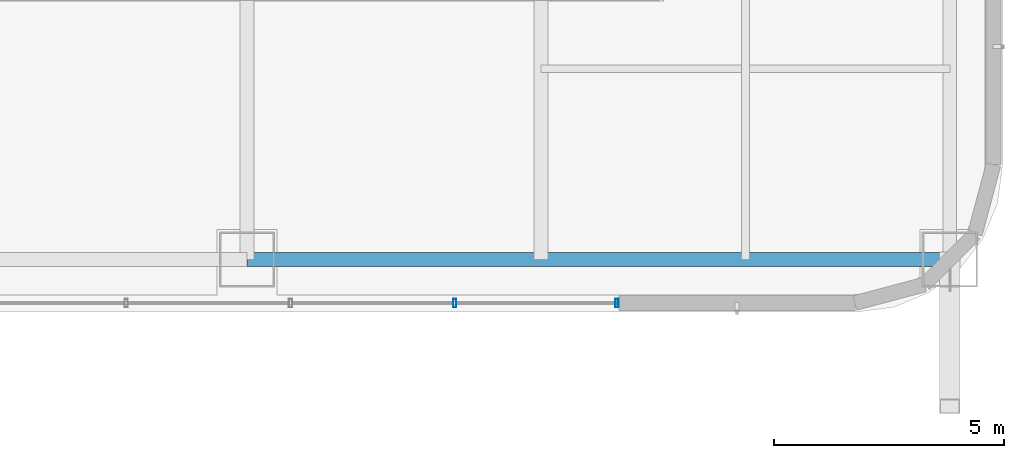
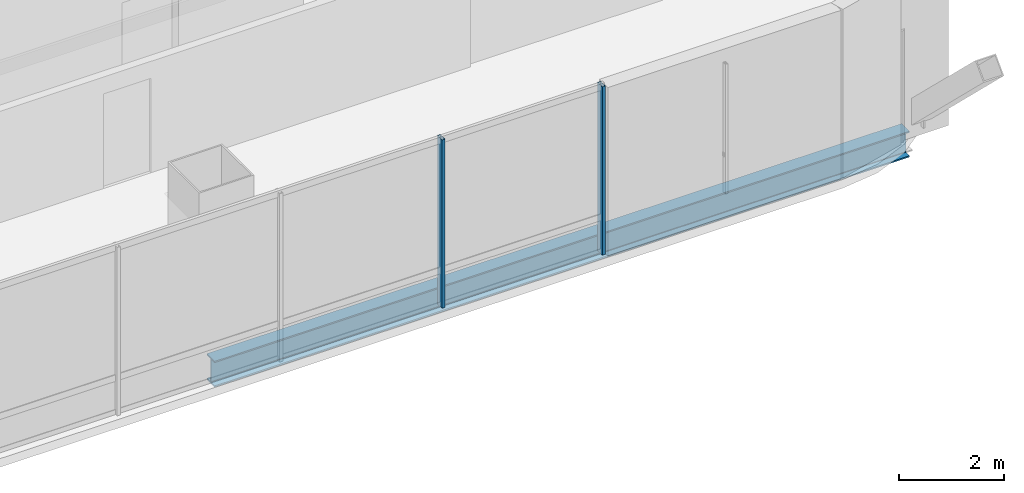
# One storey, part 14 of 51: 2 members, 1 beam, 1 element without a shape of its own.
"""IFC4 building model written with IfcOpenShell, lengths in metres."""

from ifc_helpers import new_model, si_unit, direction, frame, origin, origin_2d, place, context, subcontext, project, spatial, hollow_rectangle, i_section, extrude, material, material_profile, profile_set, type_object, element, aggregate, save


model = new_model("IFC4")

# Units and contexts
model_context = context("Model", 3, precision=1e-05, world=origin(), true_north=direction((0.0, 1.0)))
body_context = subcontext(model_context, "Body", "Model", "MODEL_VIEW")
ifc_project = project(units=[si_unit("LENGTHUNIT", "METRE"), si_unit("AREAUNIT", "SQUARE_METRE"), si_unit("VOLUMEUNIT", "CUBIC_METRE"), si_unit("PLANEANGLEUNIT", "RADIAN"), si_unit("MASSUNIT", "GRAM", prefix="KILO")], contexts=[model_context])

# Site, building, storey
site_placement = place(None, origin())
site = spatial("IfcSite", under=ifc_project, at=site_placement, CompositionType="ELEMENT")
building_placement = place(site_placement, origin())
building = spatial("IfcBuilding", under=site, at=building_placement, Name="Punatoya Terracotta Tower", CompositionType="ELEMENT")
storey_placement = place(building_placement, frame((0.0, 0.0, 313.199951171875)))
storey = spatial("IfcBuildingStorey", under=building, at=storey_placement, Name="L74", CompositionType="ELEMENT", Elevation=313.199951171875)

# Beam
ifc_material_1 = material(Name="Steel S355", Category="steel")
ifc_material_profile_1 = material_profile(ifc_material_1, i_section(OverallWidth=0.300048828125, OverallDepth=0.60009765625, WebThickness=0.015380859375, FlangeThickness=0.030029296875, FilletRadius=0.01806640625, at=origin_2d()))
ifc_profile_set_1 = profile_set([ifc_material_profile_1], Name="Steel S355")
beam_type = type_object("IfcBeamType", Name="BM-PRI-600", PredefinedType="BEAM", material=ifc_profile_set_1)
beam_placement = place(storey_placement, frame((3.800048828125, -17.5, -0.5), z_axis=(1.0, 0.0, 0.0), x_axis=(0.0, 1.0, 0.0)))
element("IfcBeam", 1, at=beam_placement, inside=storey, type_object=beam_type, Name="BM-L74-RG-S3", PredefinedType="BEAM", context=body_context, shape_type="SweptSolid", body=[
    extrude(i_section(OverallWidth=0.300048828125, OverallDepth=0.60009765625, WebThickness=0.015380859375, FlangeThickness=0.030029296875, FilletRadius=0.01806640625, at=origin_2d()), origin(), (0.0, 0.0, 1.0), 15.300048828125),
])

# Curtain wall, members
ifc_material_2 = material(Name="Aluminium 6063-T6 + Double Low-E Glass", Category="aluminium")
curtain_wall_type = type_object("IfcCurtainWallType", Name="CW-M3", PredefinedType="NOTDEFINED", material=ifc_material_2)
curtain_wall_placement = place(storey_placement, origin())
curtain_wall = element("IfcCurtainWall", 2, at=curtain_wall_placement, inside=storey, type_object=curtain_wall_type, Name="L74 Curtain Wall CW-L74-S01-1", PredefinedType="NOTDEFINED")
ifc_material_3 = material(Name="Aluminium 6063-T6", Category="aluminium")
ifc_material_profile_2 = material_profile(ifc_material_3, hollow_rectangle(XDim=0.070068359375, YDim=0.179931640625, WallThickness=0.00390625, at=origin_2d()))
ifc_profile_set_2 = profile_set([ifc_material_profile_2], Name="Aluminium 6063-T6")
member_type = type_object("IfcMemberType", Name="CW-MUL-M3", PredefinedType="MULLION", material=ifc_profile_set_2)
member_1_placement = place(storey_placement, frame((8.324951171875, -18.449951171875, 0.0), z_axis=(0.0, 0.0, 1.0), x_axis=(1.0, 0.0, 0.0)))
member_1 = element("IfcMember", 3, at=member_1_placement, type_object=member_type, Name="CW-L74-S01-1 Mullion 07", PredefinedType="MULLION", context=body_context, shape_type="SweptSolid", body=[
    extrude(hollow_rectangle(XDim=0.070068359375, YDim=0.179931640625, WallThickness=0.00390625, at=origin_2d()), origin(), (0.0, 0.0, 1.0), 3.920166015625),
])
member_2_placement = place(storey_placement, frame((11.85498046875, -18.449951171875, 0.0), z_axis=(0.0, 0.0, 1.0), x_axis=(1.0, 0.0, 0.0)))
member_2 = element("IfcMember", 4, at=member_2_placement, type_object=member_type, Name="CW-L74-S01-1 Mullion 08", PredefinedType="MULLION", context=body_context, shape_type="SweptSolid", body=[
    extrude(hollow_rectangle(XDim=0.070068359375, YDim=0.179931640625, WallThickness=0.00390625, at=origin_2d()), origin(), (0.0, 0.0, 1.0), 3.920166015625),
])
aggregate(curtain_wall, [member_1, member_2])

save(model, "model.ifc")
